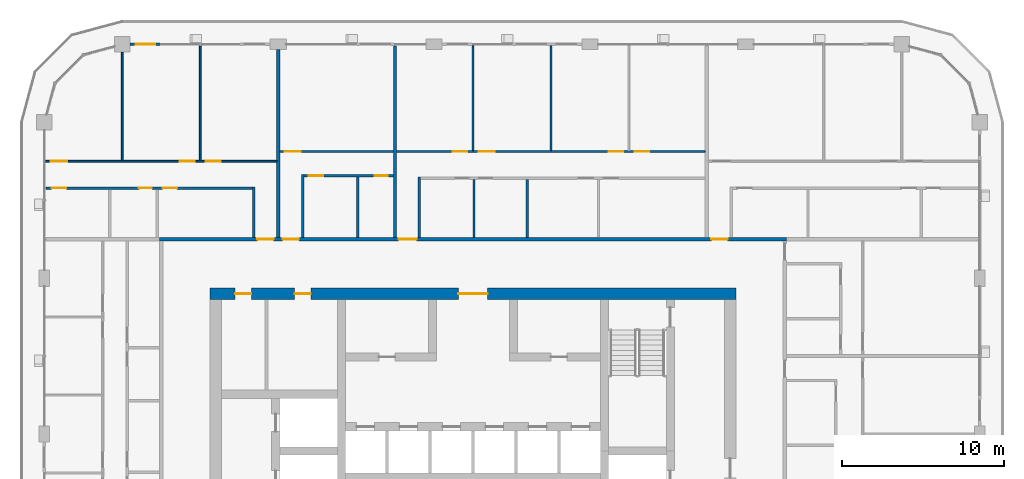
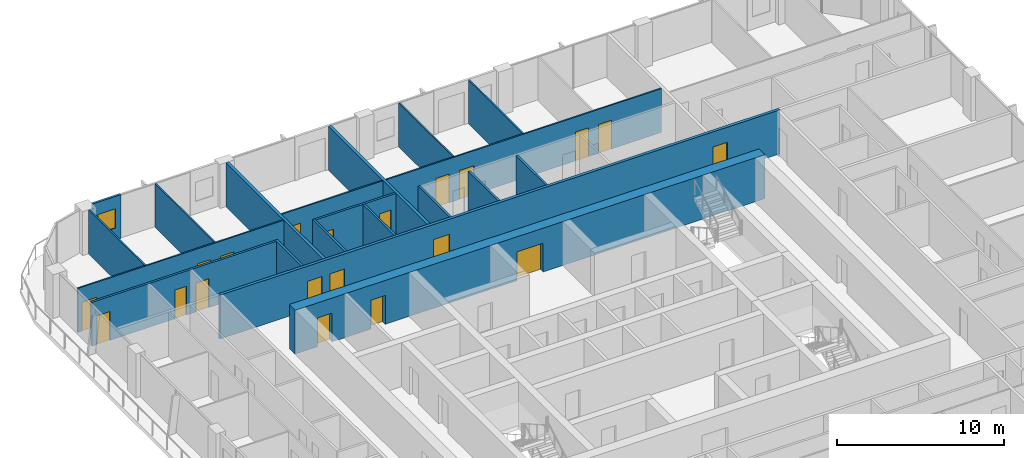
# One storey, part 14 of 23: 20 doors, 20 walls, 1 window, 21 openings.
"""IFC4 building model written with IfcOpenShell, lengths in metres."""

from ifc_helpers import new_model, si_unit, direction, frame, frame_2d, origin, place, context, subcontext, project, spatial, rectangle, extrude, material, layer, layer_set, type_object, element, fill, save


model = new_model("IFC4")

# Units and contexts
model_context = context("Model", 3, precision=1e-05, world=origin(), true_north=direction((0.0, 1.0)))
body_context = subcontext(model_context, "Body", "Model", "MODEL_VIEW")
ifc_project = project(units=[si_unit("LENGTHUNIT", "METRE"), si_unit("AREAUNIT", "SQUARE_METRE"), si_unit("VOLUMEUNIT", "CUBIC_METRE"), si_unit("PLANEANGLEUNIT", "RADIAN"), si_unit("MASSUNIT", "GRAM", prefix="KILO")], contexts=[model_context])

# Site, building, storey
site_placement = place(None, origin())
site = spatial("IfcSite", under=ifc_project, at=site_placement, CompositionType="ELEMENT")
building_placement = place(site_placement, origin())
building = spatial("IfcBuilding", under=site, at=building_placement, Name="Madar Terraces", CompositionType="ELEMENT")
storey_placement = place(building_placement, frame((0.0, 0.0, 219.300048828125)))
storey = spatial("IfcBuildingStorey", under=building, at=storey_placement, Name="L57", CompositionType="ELEMENT", Elevation=219.300048828125)

# Wall, openings, doors
ifc_material_1 = material(Name="Concrete C60/75", Category="concrete")
ifc_layer_1 = layer(ifc_material_1, 0.699951171875)
ifc_layer_set_1 = layer_set([ifc_layer_1], Name="Concrete C60/75 (CRW4 RC wall 700)")
wall_type_1 = type_object("IfcWallType", Name="CRW4 RC wall 700", PredefinedType="SHEAR", material=ifc_layer_set_1)
wall_1_placement = place(storey_placement, frame((15.0, 37.449951171875, 0.0), z_axis=(0.0, 0.0, 1.0), x_axis=(1.0, 0.0, 0.0)))
wall_1 = element("IfcWall", 1, at=wall_1_placement, inside=storey, type_object=wall_type_1, Name="CORE OUTER WALL", PredefinedType="SHEAR", context=body_context, shape_type="SweptSolid", body=[
    extrude(rectangle(XDim=32.39990234375, YDim=0.699951171875, at=frame_2d((16.199951171875, 0.0))), origin(), (0.0, 0.0, 1.0), 3.199951171875),
])
opening_1_placement = place(wall_1_placement, frame((15.300048828125, 0.0, 0.0)))
opening_1 = element("IfcOpeningElement", 2, at=opening_1_placement, cuts=wall_1, Name="Opening KD1", PredefinedType="OPENING", context=body_context, shape_type="SweptSolid", body=[
    extrude(rectangle(XDim=1.800048828125, YDim=2.10009765625, at=frame_2d((0.89990234375, 1.050048828125))), frame((0.0, 0.35986328125, 0.0), z_axis=(0.0, -1.0, 0.0), x_axis=(1.0, 0.0, 0.0)), (0.0, 0.0, 1.0), 0.719970703125),
])
opening_2_placement = place(wall_1_placement, frame((1.544189453125, 0.0, 0.0)))
opening_2 = element("IfcOpeningElement", 3, at=opening_2_placement, cuts=wall_1, Name="Opening KD2", PredefinedType="OPENING", context=body_context, shape_type="SweptSolid", body=[
    extrude(rectangle(XDim=1.0, YDim=2.10009765625, at=frame_2d((0.5, 1.050048828125))), frame((0.0, 0.35986328125, 0.0), z_axis=(0.0, -1.0, 0.0), x_axis=(1.0, 0.0, 0.0)), (0.0, 0.0, 1.0), 0.719970703125),
])
opening_3_placement = place(wall_1_placement, frame((5.21923828125, 0.0, 0.0)))
opening_3 = element("IfcOpeningElement", 4, at=opening_3_placement, cuts=wall_1, Name="Opening KD2", PredefinedType="OPENING", context=body_context, shape_type="SweptSolid", body=[
    extrude(rectangle(XDim=1.0, YDim=2.10009765625, at=frame_2d((0.5, 1.050048828125))), frame((0.0, 0.35986328125, 0.0), z_axis=(0.0, -1.0, 0.0), x_axis=(1.0, 0.0, 0.0)), (0.0, 0.0, 1.0), 0.719970703125),
])
ifc_material_2 = material(Name="Steel door leaf", Category="steel")
door_type_1 = type_object("IfcDoorType", Name="Lobby door pair 1800 x 2100", OperationType="DOUBLE_DOOR_SINGLE_SWING", PredefinedType="DOOR", material=ifc_material_2)
door_1_placement = place(opening_1_placement, origin())
door_1 = element("IfcDoor", 5, at=door_1_placement, inside=storey, type_object=door_type_1, Name="LIFT LOBBY DOOR", OperationType="DOUBLE_DOOR_SINGLE_SWING", OverallHeight=2.10009765625, OverallWidth=1.800048828125, PredefinedType="DOOR", context=body_context, shape_type="SweptSolid", body=[
    extrude(rectangle(XDim=1.800048828125, YDim=2.10009765625, at=frame_2d((0.89990234375, 1.050048828125))), frame((0.0, 0.02490234375, 0.0), z_axis=(0.0, -1.0, 0.0), x_axis=(1.0, 0.0, 0.0)), (0.0, 0.0, 1.0), 0.050048828125),
])
fill(opening_1, door_1)
ifc_material_3 = material(Name="Steel door leaf", Category="steel")
door_type_2 = type_object("IfcDoorType", Name="Service room door 1000 x 2100", OperationType="NOTDEFINED", PredefinedType="DOOR", material=ifc_material_3)
door_2_placement = place(opening_2_placement, origin())
door_2 = element("IfcDoor", 6, at=door_2_placement, inside=storey, type_object=door_type_2, Name="SERVICE ROOM DOOR", OperationType="SINGLE_SWING_RIGHT", OverallHeight=2.10009765625, OverallWidth=1.0, PredefinedType="DOOR", context=body_context, shape_type="SweptSolid", body=[
    extrude(rectangle(XDim=1.0, YDim=2.10009765625, at=frame_2d((0.5, 1.050048828125))), frame((0.0, 0.02490234375, 0.0), z_axis=(0.0, -1.0, 0.0), x_axis=(1.0, 0.0, 0.0)), (0.0, 0.0, 1.0), 0.050048828125),
])
fill(opening_2, door_2)
door_3_placement = place(opening_3_placement, origin())
door_3 = element("IfcDoor", 7, at=door_3_placement, inside=storey, type_object=door_type_2, Name="SERVICE ROOM DOOR", OperationType="SINGLE_SWING_LEFT", OverallHeight=2.10009765625, OverallWidth=1.0, PredefinedType="DOOR", context=body_context, shape_type="SweptSolid", body=[
    extrude(rectangle(XDim=1.0, YDim=2.10009765625, at=frame_2d((0.5, 1.050048828125))), frame((0.0, 0.02490234375, 0.0), z_axis=(0.0, -1.0, 0.0), x_axis=(1.0, 0.0, 0.0)), (0.0, 0.0, 1.0), 0.050048828125),
])
fill(opening_3, door_3)

# Wall, opening, window
ifc_material_4 = material(Name="Aluminium composite panel, black, over insulated backing", Category="aluminium")
ifc_layer_2 = layer(ifc_material_4, 0.14990234375)
ifc_layer_set_2 = layer_set([ifc_layer_2], Name="Facade bay panel 150")
wall_type_2 = type_object("IfcWallType", Name="Facade bay panel 150", PredefinedType="SOLIDWALL", material=ifc_layer_set_2)
wall_2_placement = place(storey_placement, frame((12.0, 52.800048828125, 0.0), z_axis=(0.0, 0.0, 1.0), x_axis=(-1.0, 0.0, 0.0)))
wall_2 = element("IfcWall", 8, at=wall_2_placement, inside=storey, type_object=wall_type_2, Name="Facade bay panel", PredefinedType="SOLIDWALL", context=body_context, shape_type="SweptSolid", body=[
    extrude(rectangle(XDim=1.925048828125, YDim=0.14990234375, at=frame_2d((0.96240234375, 0.0))), origin(), (0.0, 0.0, 1.0), 3.199951171875),
])
opening_4_placement = place(wall_2_placement, frame((0.362548828125, 0.0, 0.89990234375)))
opening_4 = element("IfcOpeningElement", 9, at=opening_4_placement, cuts=wall_2, Name="Opening W1", PredefinedType="OPENING", context=body_context, shape_type="SweptSolid", body=[
    extrude(rectangle(XDim=1.199951171875, YDim=1.39990234375, at=frame_2d((0.60009765625, 0.699951171875))), frame((0.0, 0.0849609375, 0.0), z_axis=(0.0, -1.0, 0.0), x_axis=(1.0, 0.0, 0.0)), (0.0, 0.0, 1.0), 0.169921875),
])
ifc_material_5 = material(Name="Glass, clear, with black aluminium frame", Category="aluminium")
window_type = type_object("IfcWindowType", Name="Vent window 1200 x 1400", PartitioningType="SINGLE_PANEL", PredefinedType="WINDOW", material=ifc_material_5)
window_placement = place(opening_4_placement, origin())
window = element("IfcWindow", 10, at=window_placement, inside=storey, type_object=window_type, Name="Operable vent window", OverallHeight=1.39990234375, OverallWidth=1.199951171875, PartitioningType="SINGLE_PANEL", PredefinedType="WINDOW", context=body_context, shape_type="SweptSolid", body=[
    extrude(rectangle(XDim=1.199951171875, YDim=1.39990234375, at=frame_2d((0.60009765625, 0.699951171875))), frame((0.0, 0.030029296875, 0.0), z_axis=(0.0, -1.0, 0.0), x_axis=(1.0, 0.0, 0.0)), (0.0, 0.0, 1.0), 0.06005859375),
])
fill(opening_4, window)

# Walls
ifc_material_6 = material(Name="Gypsum board on steel studs", Category="steel")
ifc_layer_3 = layer(ifc_material_6, 0.10009765625)
ifc_layer_set_3 = layer_set([ifc_layer_3], Name="Flat partition 100")
wall_type_3 = type_object("IfcWallType", Name="Flat partition 100", PredefinedType="PARTITIONING", material=ifc_layer_set_3)
for number, where, z_axis, x_axis, name in (
    (11, (31.199951171875, 46.25, 0.0), (0.0, 0.0, 1.0), (0.0, 1.0, 0.0), "Flat partition 100"),
    (12, (36.0, 46.25, 0.0), (0.0, 0.0, 1.0), (0.0, 1.0, 0.0), "Flat partition 100"),
):
    element("IfcWall", number, at=place(storey_placement, frame(where, z_axis=z_axis, x_axis=x_axis)), inside=storey, type_object=wall_type_3, Name=name, PredefinedType="PARTITIONING", context=body_context, shape_type="SweptSolid", body=[
        extrude(rectangle(XDim=6.449951171875, YDim=0.10009765625, at=frame_2d((3.22509765625, 0.0))), origin(), (0.0, 0.0, 1.0), 3.199951171875),
    ])

# Wall, openings, doors
wall_3_placement = place(storey_placement, frame((26.5, 46.199951171875, 0.0), z_axis=(0.0, 0.0, 1.0), x_axis=(1.0, 0.0, 0.0)))
wall_3 = element("IfcWall", 13, at=wall_3_placement, inside=storey, type_object=wall_type_3, Name="Flat partition 100", PredefinedType="PARTITIONING", context=body_context, shape_type="SweptSolid", body=[
    extrude(rectangle(XDim=19.0, YDim=0.10009765625, at=frame_2d((9.5, 0.0))), origin(), (0.0, 0.0, 1.0), 3.199951171875),
])
opening_5_placement = place(wall_3_placement, frame((3.449951171875, 0.0, 0.0)))
opening_5 = element("IfcOpeningElement", 14, at=opening_5_placement, cuts=wall_3, Name="Opening D2", PredefinedType="OPENING", context=body_context, shape_type="SweptSolid", body=[
    extrude(rectangle(XDim=0.89990234375, YDim=2.10009765625, at=frame_2d((0.449951171875, 1.050048828125))), frame((0.0, 0.06005859375, 0.0), z_axis=(0.0, -1.0, 0.0), x_axis=(1.0, 0.0, 0.0)), (0.0, 0.0, 1.0), 0.1201171875),
])
opening_6_placement = place(wall_3_placement, frame((5.050048828125, 0.0, 0.0)))
opening_6 = element("IfcOpeningElement", 15, at=opening_6_placement, cuts=wall_3, Name="Opening D3", PredefinedType="OPENING", context=body_context, shape_type="SweptSolid", body=[
    extrude(rectangle(XDim=1.0, YDim=2.10009765625, at=frame_2d((0.5, 1.050048828125))), frame((0.0, 0.06005859375, 0.0), z_axis=(0.0, -1.0, 0.0), x_axis=(1.0, 0.0, 0.0)), (0.0, 0.0, 1.0), 0.1201171875),
])
opening_7_placement = place(wall_3_placement, frame((13.050048828125, 0.0, 0.0)))
opening_7 = element("IfcOpeningElement", 16, at=opening_7_placement, cuts=wall_3, Name="Opening D2", PredefinedType="OPENING", context=body_context, shape_type="SweptSolid", body=[
    extrude(rectangle(XDim=0.89990234375, YDim=2.10009765625, at=frame_2d((0.449951171875, 1.050048828125))), frame((0.0, 0.06005859375, 0.0), z_axis=(0.0, -1.0, 0.0), x_axis=(1.0, 0.0, 0.0)), (0.0, 0.0, 1.0), 0.1201171875),
])
opening_8_placement = place(wall_3_placement, frame((14.64990234375, 0.0, 0.0)))
opening_8 = element("IfcOpeningElement", 17, at=opening_8_placement, cuts=wall_3, Name="Opening D2", PredefinedType="OPENING", context=body_context, shape_type="SweptSolid", body=[
    extrude(rectangle(XDim=0.89990234375, YDim=2.10009765625, at=frame_2d((0.449951171875, 1.050048828125))), frame((0.0, 0.06005859375, 0.0), z_axis=(0.0, -1.0, 0.0), x_axis=(1.0, 0.0, 0.0)), (0.0, 0.0, 1.0), 0.1201171875),
])
ifc_material_7 = material(Name="Timber door leaf", Category="wood")
door_type_3 = type_object("IfcDoorType", Name="Flat living room door 1000", OperationType="NOTDEFINED", PredefinedType="DOOR", material=ifc_material_7)
door_4_placement = place(opening_6_placement, origin())
door_4 = element("IfcDoor", 18, at=door_4_placement, inside=storey, type_object=door_type_3, Name="Flat living room door 1000", OperationType="SINGLE_SWING_LEFT", OverallHeight=2.10009765625, OverallWidth=1.0, PredefinedType="DOOR", context=body_context, shape_type="SweptSolid", body=[
    extrude(rectangle(XDim=1.0, YDim=2.10009765625, at=frame_2d((0.5, 1.050048828125))), frame((0.0, 0.02490234375, 0.0), z_axis=(0.0, -1.0, 0.0), x_axis=(1.0, 0.0, 0.0)), (0.0, 0.0, 1.0), 0.050048828125),
])
fill(opening_6, door_4)
ifc_material_8 = material(Name="Timber door leaf", Category="wood")
door_type_4 = type_object("IfcDoorType", Name="Flat room door 900", OperationType="NOTDEFINED", PredefinedType="DOOR", material=ifc_material_8)
door_5_placement = place(opening_5_placement, origin())
door_5 = element("IfcDoor", 19, at=door_5_placement, inside=storey, type_object=door_type_4, Name="Flat room door 900", OperationType="SINGLE_SWING_RIGHT", OverallHeight=2.10009765625, OverallWidth=0.89990234375, PredefinedType="DOOR", context=body_context, shape_type="SweptSolid", body=[
    extrude(rectangle(XDim=0.89990234375, YDim=2.10009765625, at=frame_2d((0.449951171875, 1.050048828125))), frame((0.0, 0.02490234375, 0.0), z_axis=(0.0, -1.0, 0.0), x_axis=(1.0, 0.0, 0.0)), (0.0, 0.0, 1.0), 0.050048828125),
])
fill(opening_5, door_5)
door_6_placement = place(opening_7_placement, origin())
door_6 = element("IfcDoor", 20, at=door_6_placement, inside=storey, type_object=door_type_4, Name="Flat room door 900", OperationType="SINGLE_SWING_RIGHT", OverallHeight=2.10009765625, OverallWidth=0.89990234375, PredefinedType="DOOR", context=body_context, shape_type="SweptSolid", body=[
    extrude(rectangle(XDim=0.89990234375, YDim=2.10009765625, at=frame_2d((0.449951171875, 1.050048828125))), frame((0.0, 0.02490234375, 0.0), z_axis=(0.0, -1.0, 0.0), x_axis=(1.0, 0.0, 0.0)), (0.0, 0.0, 1.0), 0.050048828125),
])
fill(opening_7, door_6)
door_7_placement = place(opening_8_placement, origin())
door_7 = element("IfcDoor", 21, at=door_7_placement, inside=storey, type_object=door_type_4, Name="Flat room door 900", OperationType="SINGLE_SWING_LEFT", OverallHeight=2.10009765625, OverallWidth=0.89990234375, PredefinedType="DOOR", context=body_context, shape_type="SweptSolid", body=[
    extrude(rectangle(XDim=0.89990234375, YDim=2.10009765625, at=frame_2d((0.449951171875, 1.050048828125))), frame((0.0, 0.02490234375, 0.0), z_axis=(0.0, -1.0, 0.0), x_axis=(1.0, 0.0, 0.0)), (0.0, 0.0, 1.0), 0.050048828125),
])
fill(opening_8, door_7)

# Wall, opening, door
wall_4_placement = place(storey_placement, frame((19.300048828125, 46.199951171875, 0.0), z_axis=(0.0, 0.0, 1.0), x_axis=(1.0, 0.0, 0.0)))
wall_4 = element("IfcWall", 22, at=wall_4_placement, inside=storey, type_object=wall_type_3, Name="Flat partition 100", PredefinedType="PARTITIONING", context=body_context, shape_type="SweptSolid", body=[
    extrude(rectangle(XDim=7.0, YDim=0.10009765625, at=frame_2d((3.5, 0.0))), origin(), (0.0, 0.0, 1.0), 3.199951171875),
])
opening_9_placement = place(wall_4_placement, frame((0.300048828125, 0.0, 0.0)))
opening_9 = element("IfcOpeningElement", 23, at=opening_9_placement, cuts=wall_4, Name="Opening D3", PredefinedType="OPENING", context=body_context, shape_type="SweptSolid", body=[
    extrude(rectangle(XDim=1.0, YDim=2.10009765625, at=frame_2d((0.5, 1.050048828125))), frame((0.0, 0.06005859375, 0.0), z_axis=(0.0, -1.0, 0.0), x_axis=(1.0, 0.0, 0.0)), (0.0, 0.0, 1.0), 0.1201171875),
])
door_8_placement = place(opening_9_placement, origin())
door_8 = element("IfcDoor", 24, at=door_8_placement, inside=storey, type_object=door_type_3, Name="Flat living room door 1000", OperationType="SINGLE_SWING_LEFT", OverallHeight=2.10009765625, OverallWidth=1.0, PredefinedType="DOOR", context=body_context, shape_type="SweptSolid", body=[
    extrude(rectangle(XDim=1.0, YDim=2.10009765625, at=frame_2d((0.5, 1.050048828125))), frame((0.0, 0.02490234375, 0.0), z_axis=(0.0, -1.0, 0.0), x_axis=(1.0, 0.0, 0.0)), (0.0, 0.0, 1.0), 0.050048828125),
])
fill(opening_9, door_8)

# Walls
wall_5_placement = place(storey_placement, frame((14.39990234375, 45.64990234375, 0.0), z_axis=(0.0, 0.0, 1.0), x_axis=(0.0, 1.0, 0.0)))
element("IfcWall", 25, at=wall_5_placement, inside=storey, type_object=wall_type_3, Name="Flat partition 100", PredefinedType="PARTITIONING", context=body_context, shape_type="SweptSolid", body=[
    extrude(rectangle(XDim=7.050048828125, YDim=0.10009765625, at=frame_2d((3.52490234375, 0.0))), origin(), (0.0, 0.0, 1.0), 3.199951171875),
])
wall_6_placement = place(storey_placement, frame((9.60009765625, 45.64990234375, 0.0), z_axis=(0.0, 0.0, 1.0), x_axis=(0.0, 1.0, 0.0)))
element("IfcWall", 26, at=wall_6_placement, inside=storey, type_object=wall_type_3, Name="Flat partition 100", PredefinedType="PARTITIONING", context=body_context, shape_type="SweptSolid", body=[
    extrude(rectangle(XDim=6.675048828125, YDim=0.10009765625, at=frame_2d((3.33740234375, 0.0))), origin(), (0.0, 0.0, 1.0), 3.199951171875),
])

# Wall, openings, doors
wall_7_placement = place(storey_placement, frame((4.89990234375, 45.60009765625, 0.0), z_axis=(0.0, 0.0, 1.0), x_axis=(1.0, 0.0, 0.0)))
wall_7 = element("IfcWall", 27, at=wall_7_placement, inside=storey, type_object=wall_type_3, Name="Flat partition 100", PredefinedType="PARTITIONING", context=body_context, shape_type="SweptSolid", body=[
    extrude(rectangle(XDim=14.2001953125, YDim=0.10009765625, at=frame_2d((7.10009765625, 0.0))), origin(), (0.0, 0.0, 1.0), 3.199951171875),
])
opening_10_placement = place(wall_7_placement, frame((9.85009765625, 0.0, 0.0)))
opening_10 = element("IfcOpeningElement", 28, at=opening_10_placement, cuts=wall_7, Name="Opening D2", PredefinedType="OPENING", context=body_context, shape_type="SweptSolid", body=[
    extrude(rectangle(XDim=0.89990234375, YDim=2.10009765625, at=frame_2d((0.449951171875, 1.050048828125))), frame((0.0, 0.06005859375, 0.0), z_axis=(0.0, -1.0, 0.0), x_axis=(1.0, 0.0, 0.0)), (0.0, 0.0, 1.0), 0.1201171875),
])
opening_11_placement = place(wall_7_placement, frame((8.25, 0.0, 0.0)))
opening_11 = element("IfcOpeningElement", 29, at=opening_11_placement, cuts=wall_7, Name="Opening D2", PredefinedType="OPENING", context=body_context, shape_type="SweptSolid", body=[
    extrude(rectangle(XDim=0.89990234375, YDim=2.10009765625, at=frame_2d((0.449951171875, 1.050048828125))), frame((0.0, 0.06005859375, 0.0), z_axis=(0.0, -1.0, 0.0), x_axis=(1.0, 0.0, 0.0)), (0.0, 0.0, 1.0), 0.1201171875),
])
opening_12_placement = place(wall_7_placement, frame((0.300048828125, 0.0, 0.0)))
opening_12 = element("IfcOpeningElement", 30, at=opening_12_placement, cuts=wall_7, Name="Opening D3", PredefinedType="OPENING", context=body_context, shape_type="SweptSolid", body=[
    extrude(rectangle(XDim=1.0, YDim=2.10009765625, at=frame_2d((0.5, 1.050048828125))), frame((0.0, 0.06005859375, 0.0), z_axis=(0.0, -1.0, 0.0), x_axis=(1.0, 0.0, 0.0)), (0.0, 0.0, 1.0), 0.1201171875),
])
door_9_placement = place(opening_12_placement, origin())
door_9 = element("IfcDoor", 31, at=door_9_placement, inside=storey, type_object=door_type_3, Name="Flat living room door 1000", OperationType="SINGLE_SWING_LEFT", OverallHeight=2.10009765625, OverallWidth=1.0, PredefinedType="DOOR", context=body_context, shape_type="SweptSolid", body=[
    extrude(rectangle(XDim=1.0, YDim=2.10009765625, at=frame_2d((0.5, 1.050048828125))), frame((0.0, 0.02490234375, 0.0), z_axis=(0.0, -1.0, 0.0), x_axis=(1.0, 0.0, 0.0)), (0.0, 0.0, 1.0), 0.050048828125),
])
fill(opening_12, door_9)
door_10_placement = place(opening_10_placement, origin())
door_10 = element("IfcDoor", 32, at=door_10_placement, inside=storey, type_object=door_type_4, Name="Flat room door 900", OperationType="SINGLE_SWING_LEFT", OverallHeight=2.10009765625, OverallWidth=0.89990234375, PredefinedType="DOOR", context=body_context, shape_type="SweptSolid", body=[
    extrude(rectangle(XDim=0.89990234375, YDim=2.10009765625, at=frame_2d((0.449951171875, 1.050048828125))), frame((0.0, 0.02490234375, 0.0), z_axis=(0.0, -1.0, 0.0), x_axis=(1.0, 0.0, 0.0)), (0.0, 0.0, 1.0), 0.050048828125),
])
fill(opening_10, door_10)
door_11_placement = place(opening_11_placement, origin())
door_11 = element("IfcDoor", 33, at=door_11_placement, inside=storey, type_object=door_type_4, Name="Flat room door 900", OperationType="SINGLE_SWING_RIGHT", OverallHeight=2.10009765625, OverallWidth=0.89990234375, PredefinedType="DOOR", context=body_context, shape_type="SweptSolid", body=[
    extrude(rectangle(XDim=0.89990234375, YDim=2.10009765625, at=frame_2d((0.449951171875, 1.050048828125))), frame((0.0, 0.02490234375, 0.0), z_axis=(0.0, -1.0, 0.0), x_axis=(1.0, 0.0, 0.0)), (0.0, 0.0, 1.0), 0.050048828125),
])
fill(opening_11, door_11)

ifc_material_9 = material(Name="Lightweight blockwork", Category="masonry")
ifc_layer_4 = layer(ifc_material_9, 0.199951171875)
ifc_layer_set_4 = layer_set([ifc_layer_4], Name="Flat party and entrance wall 200")
wall_type_4 = type_object("IfcWallType", Name="Flat party and entrance wall 200", PredefinedType="PARTITIONING", material=ifc_layer_set_4)
wall_8_placement = place(storey_placement, frame((11.89990234375, 40.800048828125, 0.0), z_axis=(0.0, 0.0, 1.0), x_axis=(1.0, 0.0, 0.0)))
wall_8 = element("IfcWall", 34, at=wall_8_placement, inside=storey, type_object=wall_type_4, Name="Flat party and entrance wall 200", PredefinedType="PARTITIONING", context=body_context, shape_type="SweptSolid", body=[
    extrude(rectangle(XDim=38.60009765625, YDim=0.199951171875, at=frame_2d((19.300048828125, 0.0))), origin(), (0.0, 0.0, 1.0), 3.199951171875),
])
opening_13_placement = place(wall_8_placement, frame((33.97509765625, 0.0, 0.0)))
opening_13 = element("IfcOpeningElement", 35, at=opening_13_placement, cuts=wall_8, Name="Opening D1", PredefinedType="OPENING", context=body_context, shape_type="SweptSolid", body=[
    extrude(rectangle(XDim=1.0, YDim=2.10009765625, at=frame_2d((0.5, 1.050048828125))), frame((0.0, 0.10986328125, 0.0), z_axis=(0.0, -1.0, 0.0), x_axis=(1.0, 0.0, 0.0)), (0.0, 0.0, 1.0), 0.219970703125),
])
opening_14_placement = place(wall_8_placement, frame((14.72509765625, 0.0, 0.0)))
opening_14 = element("IfcOpeningElement", 36, at=opening_14_placement, cuts=wall_8, Name="Opening D6", PredefinedType="OPENING", context=body_context, shape_type="SweptSolid", body=[
    extrude(rectangle(XDim=1.10009765625, YDim=2.10009765625, at=frame_2d((0.550048828125, 1.050048828125))), frame((0.0, 0.10986328125, 0.0), z_axis=(0.0, -1.0, 0.0), x_axis=(1.0, 0.0, 0.0)), (0.0, 0.0, 1.0), 0.219970703125),
])
opening_15_placement = place(wall_8_placement, frame((7.574951171875, 0.0, 0.0)))
opening_15 = element("IfcOpeningElement", 37, at=opening_15_placement, cuts=wall_8, Name="Opening D1", PredefinedType="OPENING", context=body_context, shape_type="SweptSolid", body=[
    extrude(rectangle(XDim=1.0, YDim=2.10009765625, at=frame_2d((0.5, 1.050048828125))), frame((0.0, 0.10986328125, 0.0), z_axis=(0.0, -1.0, 0.0), x_axis=(1.0, 0.0, 0.0)), (0.0, 0.0, 1.0), 0.219970703125),
])
opening_16_placement = place(wall_8_placement, frame((6.02490234375, 0.0, 0.0)))
opening_16 = element("IfcOpeningElement", 38, at=opening_16_placement, cuts=wall_8, Name="Opening D1", PredefinedType="OPENING", context=body_context, shape_type="SweptSolid", body=[
    extrude(rectangle(XDim=1.0, YDim=2.10009765625, at=frame_2d((0.5, 1.050048828125))), frame((0.0, 0.10986328125, 0.0), z_axis=(0.0, -1.0, 0.0), x_axis=(1.0, 0.0, 0.0)), (0.0, 0.0, 1.0), 0.219970703125),
])
ifc_material_10 = material(Name="Timber fire door leaf", Category="wood")
door_type_5 = type_object("IfcDoorType", Name="Flat entrance door 1000 FD30S", OperationType="NOTDEFINED", PredefinedType="DOOR", material=ifc_material_10)
door_12_placement = place(opening_13_placement, origin())
door_12 = element("IfcDoor", 39, at=door_12_placement, inside=storey, type_object=door_type_5, Name="Flat entrance door 1000 FD30S", OperationType="SINGLE_SWING_LEFT", OverallHeight=2.10009765625, OverallWidth=1.0, PredefinedType="DOOR", context=body_context, shape_type="SweptSolid", body=[
    extrude(rectangle(XDim=1.0, YDim=2.10009765625, at=frame_2d((0.5, 1.050048828125))), frame((0.0, 0.02490234375, 0.0), z_axis=(0.0, -1.0, 0.0), x_axis=(1.0, 0.0, 0.0)), (0.0, 0.0, 1.0), 0.050048828125),
])
fill(opening_13, door_12)
door_13_placement = place(opening_15_placement, origin())
door_13 = element("IfcDoor", 40, at=door_13_placement, inside=storey, type_object=door_type_5, Name="Flat entrance door 1000 FD30S", OperationType="SINGLE_SWING_LEFT", OverallHeight=2.10009765625, OverallWidth=1.0, PredefinedType="DOOR", context=body_context, shape_type="SweptSolid", body=[
    extrude(rectangle(XDim=1.0, YDim=2.10009765625, at=frame_2d((0.5, 1.050048828125))), frame((0.0, 0.02490234375, 0.0), z_axis=(0.0, -1.0, 0.0), x_axis=(1.0, 0.0, 0.0)), (0.0, 0.0, 1.0), 0.050048828125),
])
fill(opening_15, door_13)
door_14_placement = place(opening_16_placement, origin())
door_14 = element("IfcDoor", 41, at=door_14_placement, inside=storey, type_object=door_type_5, Name="Flat entrance door 1000 FD30S", OperationType="SINGLE_SWING_RIGHT", OverallHeight=2.10009765625, OverallWidth=1.0, PredefinedType="DOOR", context=body_context, shape_type="SweptSolid", body=[
    extrude(rectangle(XDim=1.0, YDim=2.10009765625, at=frame_2d((0.5, 1.050048828125))), frame((0.0, 0.02490234375, 0.0), z_axis=(0.0, -1.0, 0.0), x_axis=(1.0, 0.0, 0.0)), (0.0, 0.0, 1.0), 0.050048828125),
])
fill(opening_16, door_14)
ifc_material_11 = material(Name="Timber fire door leaf", Category="wood")
door_type_6 = type_object("IfcDoorType", Name="Flat entrance door 1100 FD30S", OperationType="NOTDEFINED", PredefinedType="DOOR", material=ifc_material_11)
door_15_placement = place(opening_14_placement, origin())
door_15 = element("IfcDoor", 42, at=door_15_placement, inside=storey, type_object=door_type_6, Name="Flat entrance door 1100 FD30S", OperationType="SINGLE_SWING_LEFT", OverallHeight=2.10009765625, OverallWidth=1.10009765625, PredefinedType="DOOR", context=body_context, shape_type="SweptSolid", body=[
    extrude(rectangle(XDim=1.10009765625, YDim=2.10009765625, at=frame_2d((0.550048828125, 1.050048828125))), frame((0.0, 0.02490234375, 0.0), z_axis=(0.0, -1.0, 0.0), x_axis=(1.0, 0.0, 0.0)), (0.0, 0.0, 1.0), 0.050048828125),
])
fill(opening_14, door_15)

# Walls
wall_9_placement = place(storey_placement, frame((26.39990234375, 52.699951171875, 0.0), z_axis=(0.0, 0.0, 1.0), x_axis=(0.0, -1.0, 0.0)))
element("IfcWall", 43, at=wall_9_placement, inside=storey, type_object=wall_type_4, Name="Flat party and entrance wall 200", PredefinedType="PARTITIONING", context=body_context, shape_type="SweptSolid", body=[
    extrude(rectangle(XDim=11.800048828125, YDim=0.199951171875, at=frame_2d((5.89990234375, 0.0))), origin(), (0.0, 0.0, 1.0), 3.199951171875),
])
wall_10_placement = place(storey_placement, frame((19.199951171875, 52.47509765625, 0.0), z_axis=(0.0, 0.0, 1.0), x_axis=(0.0, -1.0, 0.0)))
element("IfcWall", 44, at=wall_10_placement, inside=storey, type_object=wall_type_4, Name="Flat party and entrance wall 200", PredefinedType="PARTITIONING", context=body_context, shape_type="SweptSolid", body=[
    extrude(rectangle(XDim=11.5751953125, YDim=0.199951171875, at=frame_2d((5.78759765625, 0.0))), origin(), (0.0, 0.0, 1.0), 3.199951171875),
])
ifc_material_12 = material(Name="Lightweight blockwork", Category="masonry")
ifc_layer_5 = layer(ifc_material_12, 0.14990234375)
ifc_layer_set_5 = layer_set([ifc_layer_5], Name="Flat wet-room partition 150")
wall_type_5 = type_object("IfcWallType", Name="Flat wet-room partition 150", PredefinedType="PARTITIONING", material=ifc_layer_set_5)
for number, where, z_axis, x_axis, name in (
    (45, (31.260986328125, 40.89990234375, 0.0), (0.0, 0.0, 1.0), (0.0, 1.0, 0.0), "Flat wet-room partition 150"),
    (46, (34.546875, 40.89990234375, 0.0), (0.0, 0.0, 1.0), (0.0, 1.0, 0.0), "Flat wet-room partition 150"),
):
    element("IfcWall", number, at=place(storey_placement, frame(where, z_axis=z_axis, x_axis=x_axis)), inside=storey, type_object=wall_type_5, Name=name, PredefinedType="PARTITIONING", context=body_context, shape_type="SweptSolid", body=[
        extrude(rectangle(XDim=3.5751953125, YDim=0.14990234375, at=frame_2d((1.78759765625, 0.0))), origin(), (0.0, 0.0, 1.0), 3.199951171875),
    ])
for number, where, z_axis, x_axis, name in (
    (47, (27.89990234375, 40.89990234375, 0.0), (0.0, 0.0, 1.0), (0.0, 1.0, 0.0), "Flat wet-room partition 150"),
    (48, (24.090087890625, 40.89990234375, 0.0), (0.0, 0.0, 1.0), (0.0, 1.0, 0.0), "Flat wet-room partition 150"),
):
    element("IfcWall", number, at=place(storey_placement, frame(where, z_axis=z_axis, x_axis=x_axis)), inside=storey, type_object=wall_type_5, Name=name, PredefinedType="PARTITIONING", context=body_context, shape_type="SweptSolid", body=[
        extrude(rectangle(XDim=3.72509765625, YDim=0.14990234375, at=frame_2d((1.862548828125, 0.0))), origin(), (0.0, 0.0, 1.0), 3.199951171875),
    ])
wall_11_placement = place(storey_placement, frame((20.699951171875, 40.89990234375, 0.0), z_axis=(0.0, 0.0, 1.0), x_axis=(0.0, 1.0, 0.0)))
element("IfcWall", 49, at=wall_11_placement, inside=storey, type_object=wall_type_5, Name="Flat wet-room partition 150", PredefinedType="PARTITIONING", context=body_context, shape_type="SweptSolid", body=[
    extrude(rectangle(XDim=3.875, YDim=0.14990234375, at=frame_2d((1.9375, 0.0))), origin(), (0.0, 0.0, 1.0), 3.199951171875),
])

# Wall, openings, doors
wall_12_placement = place(storey_placement, frame((26.300048828125, 44.699951171875, 0.0), z_axis=(0.0, 0.0, 1.0), x_axis=(-1.0, 0.0, 0.0)))
wall_12 = element("IfcWall", 50, at=wall_12_placement, inside=storey, type_object=wall_type_5, Name="Flat wet-room partition 150", PredefinedType="PARTITIONING", context=body_context, shape_type="SweptSolid", body=[
    extrude(rectangle(XDim=5.525146484375, YDim=0.14990234375, at=frame_2d((2.7626953125, 0.0))), origin(), (0.0, 0.0, 1.0), 3.199951171875),
])
opening_17_placement = place(wall_12_placement, frame((4.324951171875, 0.0, 0.0)))
opening_17 = element("IfcOpeningElement", 51, at=opening_17_placement, cuts=wall_12, Name="Opening D2", PredefinedType="OPENING", context=body_context, shape_type="SweptSolid", body=[
    extrude(rectangle(XDim=0.89990234375, YDim=2.10009765625, at=frame_2d((0.449951171875, 1.050048828125))), frame((0.0, 0.0849609375, 0.0), z_axis=(0.0, -1.0, 0.0), x_axis=(1.0, 0.0, 0.0)), (0.0, 0.0, 1.0), 0.169921875),
])
opening_18_placement = place(wall_12_placement, frame((0.35009765625, 0.0, 0.0)))
opening_18 = element("IfcOpeningElement", 52, at=opening_18_placement, cuts=wall_12, Name="Opening D4", PredefinedType="OPENING", context=body_context, shape_type="SweptSolid", body=[
    extrude(rectangle(XDim=0.800048828125, YDim=2.10009765625, at=frame_2d((0.39990234375, 1.050048828125))), frame((0.0, 0.0849609375, 0.0), z_axis=(0.0, -1.0, 0.0), x_axis=(1.0, 0.0, 0.0)), (0.0, 0.0, 1.0), 0.169921875),
])
ifc_material_13 = material(Name="Timber door leaf", Category="wood")
door_type_7 = type_object("IfcDoorType", Name="Flat bathroom door 800", OperationType="NOTDEFINED", PredefinedType="DOOR", material=ifc_material_13)
door_16_placement = place(opening_18_placement, origin())
door_16 = element("IfcDoor", 53, at=door_16_placement, inside=storey, type_object=door_type_7, Name="Flat bathroom door 800", OperationType="SINGLE_SWING_LEFT", OverallHeight=2.10009765625, OverallWidth=0.800048828125, PredefinedType="DOOR", context=body_context, shape_type="SweptSolid", body=[
    extrude(rectangle(XDim=0.800048828125, YDim=2.10009765625, at=frame_2d((0.39990234375, 1.050048828125))), frame((0.0, 0.02490234375, 0.0), z_axis=(0.0, -1.0, 0.0), x_axis=(1.0, 0.0, 0.0)), (0.0, 0.0, 1.0), 0.050048828125),
])
fill(opening_18, door_16)
door_17_placement = place(opening_17_placement, origin())
door_17 = element("IfcDoor", 54, at=door_17_placement, inside=storey, type_object=door_type_4, Name="Flat room door 900", OperationType="SINGLE_SWING_RIGHT", OverallHeight=2.10009765625, OverallWidth=0.89990234375, PredefinedType="DOOR", context=body_context, shape_type="SweptSolid", body=[
    extrude(rectangle(XDim=0.89990234375, YDim=2.10009765625, at=frame_2d((0.449951171875, 1.050048828125))), frame((0.0, 0.02490234375, 0.0), z_axis=(0.0, -1.0, 0.0), x_axis=(1.0, 0.0, 0.0)), (0.0, 0.0, 1.0), 0.050048828125),
])
fill(opening_17, door_17)

# Wall
wall_13_placement = place(storey_placement, frame((17.699951171875, 40.89990234375, 0.0), z_axis=(0.0, 0.0, 1.0), x_axis=(0.0, 1.0, 0.0)))
element("IfcWall", 55, at=wall_13_placement, inside=storey, type_object=wall_type_5, Name="Flat wet-room partition 150", PredefinedType="PARTITIONING", context=body_context, shape_type="SweptSolid", body=[
    extrude(rectangle(XDim=3.125, YDim=0.14990234375, at=frame_2d((1.5625, 0.0))), origin(), (0.0, 0.0, 1.0), 3.199951171875),
])

# Wall, openings, doors
wall_14_placement = place(storey_placement, frame((17.625, 43.949951171875, 0.0), z_axis=(0.0, 0.0, 1.0), x_axis=(-1.0, 0.0, 0.0)))
wall_14 = element("IfcWall", 56, at=wall_14_placement, inside=storey, type_object=wall_type_5, Name="Flat wet-room partition 150", PredefinedType="PARTITIONING", context=body_context, shape_type="SweptSolid", body=[
    extrude(rectangle(XDim=12.72509765625, YDim=0.14990234375, at=frame_2d((6.362548828125, 0.0))), origin(), (0.0, 0.0, 1.0), 3.199951171875),
])
opening_19_placement = place(wall_14_placement, frame((4.648193359375, 0.0, 0.0)))
opening_19 = element("IfcOpeningElement", 57, at=opening_19_placement, cuts=wall_14, Name="Opening D2", PredefinedType="OPENING", context=body_context, shape_type="SweptSolid", body=[
    extrude(rectangle(XDim=0.89990234375, YDim=2.10009765625, at=frame_2d((0.449951171875, 1.050048828125))), frame((0.0, 0.0849609375, 0.0), z_axis=(0.0, -1.0, 0.0), x_axis=(1.0, 0.0, 0.0)), (0.0, 0.0, 1.0), 0.169921875),
])
opening_20_placement = place(wall_14_placement, frame((6.197998046875, 0.0, 0.0)))
opening_20 = element("IfcOpeningElement", 58, at=opening_20_placement, cuts=wall_14, Name="Opening D4", PredefinedType="OPENING", context=body_context, shape_type="SweptSolid", body=[
    extrude(rectangle(XDim=0.800048828125, YDim=2.10009765625, at=frame_2d((0.39990234375, 1.050048828125))), frame((0.0, 0.0849609375, 0.0), z_axis=(0.0, -1.0, 0.0), x_axis=(1.0, 0.0, 0.0)), (0.0, 0.0, 1.0), 0.169921875),
])
opening_21_placement = place(wall_14_placement, frame((11.47509765625, 0.0, 0.0)))
opening_21 = element("IfcOpeningElement", 59, at=opening_21_placement, cuts=wall_14, Name="Opening D5", PredefinedType="OPENING", context=body_context, shape_type="SweptSolid", body=[
    extrude(rectangle(XDim=0.89990234375, YDim=2.10009765625, at=frame_2d((0.449951171875, 1.050048828125))), frame((0.0, 0.0849609375, 0.0), z_axis=(0.0, -1.0, 0.0), x_axis=(1.0, 0.0, 0.0)), (0.0, 0.0, 1.0), 0.169921875),
])
ifc_material_14 = material(Name="Timber door leaf", Category="wood")
door_type_8 = type_object("IfcDoorType", Name="Flat accessible bathroom door 900", OperationType="NOTDEFINED", PredefinedType="DOOR", material=ifc_material_14)
door_18_placement = place(opening_21_placement, origin())
door_18 = element("IfcDoor", 60, at=door_18_placement, inside=storey, type_object=door_type_8, Name="Flat accessible bathroom door 900", OperationType="SINGLE_SWING_RIGHT", OverallHeight=2.10009765625, OverallWidth=0.89990234375, PredefinedType="DOOR", context=body_context, shape_type="SweptSolid", body=[
    extrude(rectangle(XDim=0.89990234375, YDim=2.10009765625, at=frame_2d((0.449951171875, 1.050048828125))), frame((0.0, 0.02490234375, 0.0), z_axis=(0.0, -1.0, 0.0), x_axis=(1.0, 0.0, 0.0)), (0.0, 0.0, 1.0), 0.050048828125),
])
fill(opening_21, door_18)
door_19_placement = place(opening_20_placement, origin())
door_19 = element("IfcDoor", 61, at=door_19_placement, inside=storey, type_object=door_type_7, Name="Flat bathroom door 800", OperationType="SINGLE_SWING_LEFT", OverallHeight=2.10009765625, OverallWidth=0.800048828125, PredefinedType="DOOR", context=body_context, shape_type="SweptSolid", body=[
    extrude(rectangle(XDim=0.800048828125, YDim=2.10009765625, at=frame_2d((0.39990234375, 1.050048828125))), frame((0.0, 0.02490234375, 0.0), z_axis=(0.0, -1.0, 0.0), x_axis=(1.0, 0.0, 0.0)), (0.0, 0.0, 1.0), 0.050048828125),
])
fill(opening_20, door_19)
door_20_placement = place(opening_19_placement, origin())
door_20 = element("IfcDoor", 62, at=door_20_placement, inside=storey, type_object=door_type_4, Name="Flat room door 900", OperationType="SINGLE_SWING_RIGHT", OverallHeight=2.10009765625, OverallWidth=0.89990234375, PredefinedType="DOOR", context=body_context, shape_type="SweptSolid", body=[
    extrude(rectangle(XDim=0.89990234375, YDim=2.10009765625, at=frame_2d((0.449951171875, 1.050048828125))), frame((0.0, 0.02490234375, 0.0), z_axis=(0.0, -1.0, 0.0), x_axis=(1.0, 0.0, 0.0)), (0.0, 0.0, 1.0), 0.050048828125),
])
fill(opening_19, door_20)

save(model, "model.ifc")
